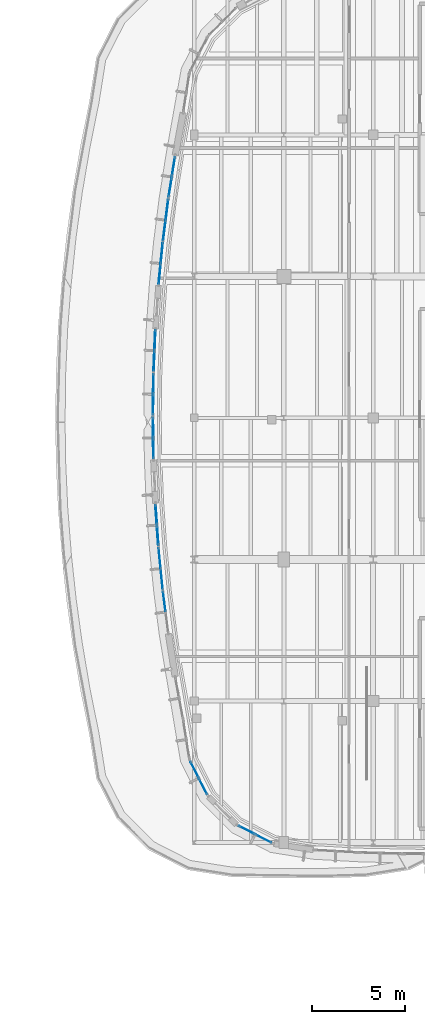
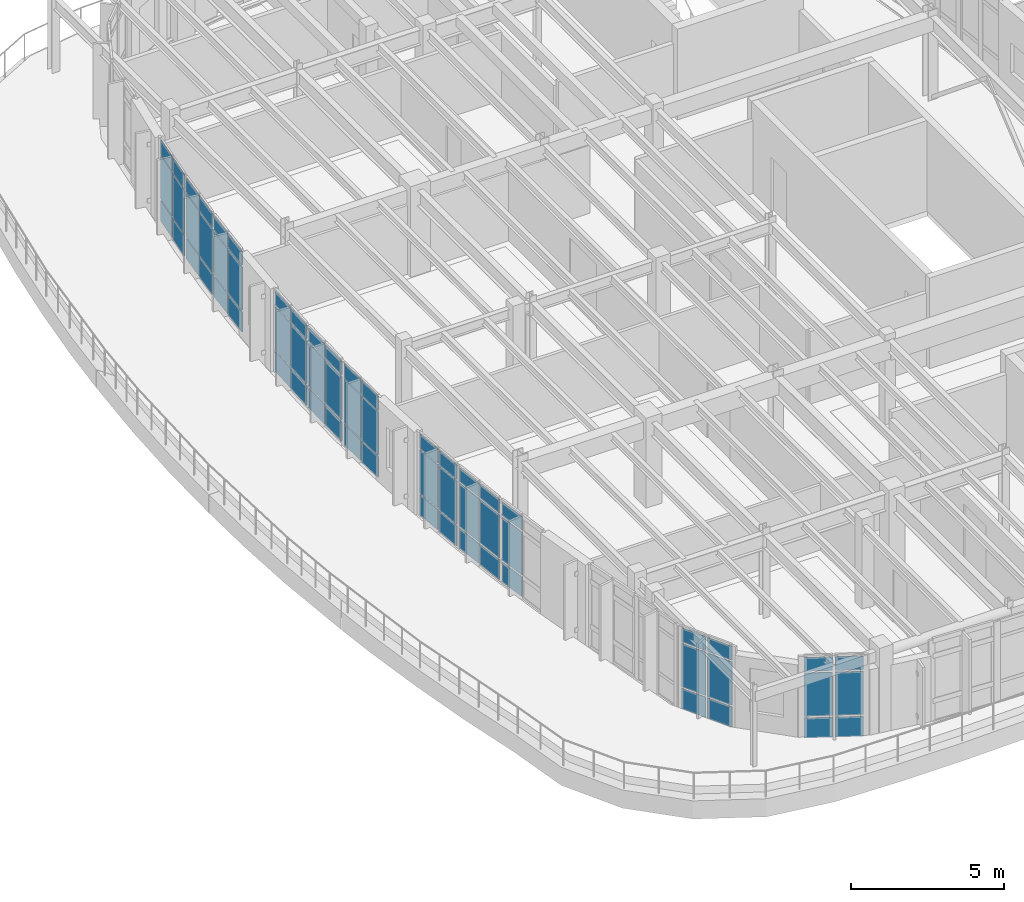
# One storey, part 18 of 30: 63 plates, 11 elements without a shape of their own.
"""IFC4 building model written with IfcOpenShell, lengths in metres."""

from ifc_helpers import new_model, si_unit, direction, frame, origin, origin_2d, place, context, subcontext, project, spatial, rectangle, extrude, material, layer, layer_set, type_object, element, aggregate, save


model = new_model("IFC4")

# Units and contexts
model_context = context("Model", 3, precision=1e-05, world=origin(), true_north=direction((0.0, 1.0)))
body_context = subcontext(model_context, "Body", "Model", "MODEL_VIEW")
ifc_project = project(units=[si_unit("LENGTHUNIT", "METRE"), si_unit("AREAUNIT", "SQUARE_METRE"), si_unit("VOLUMEUNIT", "CUBIC_METRE"), si_unit("PLANEANGLEUNIT", "RADIAN"), si_unit("MASSUNIT", "GRAM", prefix="KILO")], contexts=[model_context])

# Site, building, storey
site_placement = place(None, origin())
site = spatial("IfcSite", under=ifc_project, at=site_placement, CompositionType="ELEMENT")
building_placement = place(site_placement, origin())
building = spatial("IfcBuilding", under=site, at=building_placement, Name="Corveleigh Park Community Centre", CompositionType="ELEMENT")
storey_placement = place(building_placement, frame((0.0, 0.0, 12.60009765625)))
storey = spatial("IfcBuildingStorey", under=building, at=storey_placement, Name="L03", CompositionType="ELEMENT", Elevation=12.60009765625)

# Curtain wall, plates
ifc_material_1 = material(Name="Anodised aluminium 6063-T6", Category="aluminium")
curtain_wall_type = type_object("IfcCurtainWallType", Name="CW-SYS-V4-L03", PredefinedType="NOTDEFINED", material=ifc_material_1)
curtain_wall_1_placement = place(storey_placement, origin())
curtain_wall_1 = element("IfcCurtainWall", 1, at=curtain_wall_1_placement, inside=storey, type_object=curtain_wall_type, Name="V4 L03 Curtain Wall 433", PredefinedType="NOTDEFINED")
ifc_material_2 = material(Name="Low-E double glazing", Category="glass")
ifc_layer_1 = layer(ifc_material_2, 0.02392578125, Name="Low-E double glazing", Category="glass")
ifc_layer_set_1 = layer_set([ifc_layer_1], Name="Low-E double glazing")
plate_type_1 = type_object("IfcPlateType", Name="CWP-GLZ-24", PredefinedType="CURTAIN_PANEL", material=ifc_layer_set_1)
plate_1_placement = place(storey_placement, frame((142.44677734375, 72.74658203125, 0.06982421875), z_axis=(0.0, 0.0, 1.0), x_axis=(-0.09929092919, 0.995058446213, 0.0)))
plate_1 = element("IfcPlate", 2, at=plate_1_placement, type_object=plate_type_1, Name="CW09 panel 1.1", PredefinedType="CURTAIN_PANEL", context=body_context, shape_type="SweptSolid", body=[
    extrude(rectangle(XDim=1.0732421875, YDim=0.02392578125, at=origin_2d()), origin(), (0.0, 0.0, 1.0), 0.794921875),
])
plate_2_placement = place(storey_placement, frame((142.44677734375, 72.74658203125, 0.93505859375), z_axis=(0.0, 0.0, 1.0), x_axis=(-0.09929092919, 0.995058446213, 0.0)))
plate_2 = element("IfcPlate", 3, at=plate_2_placement, type_object=plate_type_1, Name="CW09 panel 1.2", PredefinedType="CURTAIN_PANEL", context=body_context, shape_type="SweptSolid", body=[
    extrude(rectangle(XDim=1.0732421875, YDim=0.02392578125, at=origin_2d()), origin(), (0.0, 0.0, 1.0), 1.717041015625),
])
plate_3_placement = place(storey_placement, frame((142.44677734375, 72.74658203125, 2.721923828125), z_axis=(0.0, 0.0, 1.0), x_axis=(-0.09929092919, 0.995058446213, 0.0)))
plate_3 = element("IfcPlate", 4, at=plate_3_placement, type_object=plate_type_1, Name="CW09 panel 1.3", PredefinedType="CURTAIN_PANEL", context=body_context, shape_type="SweptSolid", body=[
    extrude(rectangle(XDim=1.0732421875, YDim=0.02392578125, at=origin_2d()), origin(), (0.0, 0.0, 1.0), 0.544921875),
])
plate_4_placement = place(storey_placement, frame((142.334228515625, 73.874267578125, 0.06982421875), z_axis=(0.0, 0.0, 1.0), x_axis=(-0.09929092919, 0.995058446213, 0.0)))
plate_4 = element("IfcPlate", 5, at=plate_4_placement, type_object=plate_type_1, Name="CW09 panel 2.1", PredefinedType="CURTAIN_PANEL", context=body_context, shape_type="SweptSolid", body=[
    extrude(rectangle(XDim=1.0732421875, YDim=0.02392578125, at=origin_2d()), origin(), (0.0, 0.0, 1.0), 0.794921875),
])
plate_5_placement = place(storey_placement, frame((142.334228515625, 73.874267578125, 0.93505859375), z_axis=(0.0, 0.0, 1.0), x_axis=(-0.09929092919, 0.995058446213, 0.0)))
plate_5 = element("IfcPlate", 6, at=plate_5_placement, type_object=plate_type_1, Name="CW09 panel 2.2", PredefinedType="CURTAIN_PANEL", context=body_context, shape_type="SweptSolid", body=[
    extrude(rectangle(XDim=1.0732421875, YDim=0.02392578125, at=origin_2d()), origin(), (0.0, 0.0, 1.0), 1.717041015625),
])
plate_6_placement = place(storey_placement, frame((142.334228515625, 73.874267578125, 2.721923828125), z_axis=(0.0, 0.0, 1.0), x_axis=(-0.09929092919, 0.995058446213, 0.0)))
plate_6 = element("IfcPlate", 7, at=plate_6_placement, type_object=plate_type_1, Name="CW09 panel 2.3", PredefinedType="CURTAIN_PANEL", context=body_context, shape_type="SweptSolid", body=[
    extrude(rectangle(XDim=1.0732421875, YDim=0.02392578125, at=origin_2d()), origin(), (0.0, 0.0, 1.0), 0.544921875),
])
aggregate(curtain_wall_1, [plate_1, plate_2, plate_3, plate_4, plate_5, plate_6])

curtain_wall_2_placement = place(storey_placement, origin())
curtain_wall_2 = element("IfcCurtainWall", 8, at=curtain_wall_2_placement, inside=storey, type_object=curtain_wall_type, Name="V4 L03 Curtain Wall 434", PredefinedType="NOTDEFINED")
plate_7_placement = place(storey_placement, frame((142.583984375, 71.542236328125, 0.074951171875), z_axis=(0.0, 0.0, 1.0), x_axis=(-0.127261927639, 0.991869145489, 0.0)))
plate_7 = element("IfcPlate", 9, at=plate_7_placement, type_object=plate_type_1, Name="CW09 panel 2.1", PredefinedType="CURTAIN_PANEL", context=body_context, shape_type="SweptSolid", body=[
    extrude(rectangle(XDim=1.0654296875, YDim=0.02392578125, at=origin_2d()), origin(), (0.0, 0.0, 1.0), 0.78759765625),
])
plate_8_placement = place(storey_placement, frame((142.583984375, 71.542236328125, 0.9375), z_axis=(0.0, 0.0, 1.0), x_axis=(-0.127261927639, 0.991869145489, 0.0)))
plate_8 = element("IfcPlate", 10, at=plate_8_placement, type_object=plate_type_1, Name="CW09 panel 2.2", PredefinedType="CURTAIN_PANEL", context=body_context, shape_type="SweptSolid", body=[
    extrude(rectangle(XDim=1.0654296875, YDim=0.02392578125, at=origin_2d()), origin(), (0.0, 0.0, 1.0), 1.7119140625),
])
plate_9_placement = place(storey_placement, frame((142.583984375, 71.542236328125, 2.724365234375), z_axis=(0.0, 0.0, 1.0), x_axis=(-0.127261927639, 0.991869145489, 0.0)))
plate_9 = element("IfcPlate", 11, at=plate_9_placement, type_object=plate_type_1, Name="CW09 panel 2.3", PredefinedType="CURTAIN_PANEL", context=body_context, shape_type="SweptSolid", body=[
    extrude(rectangle(XDim=1.0654296875, YDim=0.02392578125, at=origin_2d()), origin(), (0.0, 0.0, 1.0), 0.53759765625),
])
aggregate(curtain_wall_2, [plate_7, plate_8, plate_9])

curtain_wall_3_placement = place(storey_placement, origin())
curtain_wall_3 = element("IfcCurtainWall", 12, at=curtain_wall_3_placement, inside=storey, type_object=curtain_wall_type, Name="V4 L03 Curtain Wall 426", PredefinedType="NOTDEFINED")
ifc_layer_2 = layer(ifc_material_2, 0.031982421875, Name="Low-E double glazing", Category="glass")
ifc_layer_set_2 = layer_set([ifc_layer_2], Name="Low-E double glazing")
plate_type_2 = type_object("IfcPlateType", Name="CWP-GLZ-32", PredefinedType="CURTAIN_PANEL", material=ifc_layer_set_2)
plate_10_placement = place(storey_placement, frame((142.900146484375, 93.78515625, 0.059814453125), z_axis=(0.0, 0.0, 1.0), x_axis=(0.156095062857, 0.987742036845, 0.0)))
plate_10 = element("IfcPlate", 13, at=plate_10_placement, type_object=plate_type_2, Name="CW09 panel 1.1", PredefinedType="CURTAIN_PANEL", context=body_context, shape_type="SweptSolid", body=[
    extrude(rectangle(XDim=1.03515625, YDim=0.031982421875, at=origin_2d()), origin(), (0.0, 0.0, 1.0), 0.81005859375),
])
plate_11_placement = place(storey_placement, frame((142.900146484375, 93.78515625, 0.929931640625), z_axis=(0.0, 0.0, 1.0), x_axis=(0.156095062857, 0.987742036845, 0.0)))
plate_11 = element("IfcPlate", 14, at=plate_11_placement, type_object=plate_type_2, Name="CW09 panel 1.2", PredefinedType="CURTAIN_PANEL", context=body_context, shape_type="SweptSolid", body=[
    extrude(rectangle(XDim=1.03515625, YDim=0.031982421875, at=origin_2d()), origin(), (0.0, 0.0, 1.0), 1.72705078125),
])
plate_12_placement = place(storey_placement, frame((142.900146484375, 93.78515625, 2.716796875), z_axis=(0.0, 0.0, 1.0), x_axis=(0.156095062857, 0.987742036845, 0.0)))
plate_12 = element("IfcPlate", 15, at=plate_12_placement, type_object=plate_type_2, Name="CW09 panel 1.3", PredefinedType="CURTAIN_PANEL", context=body_context, shape_type="SweptSolid", body=[
    extrude(rectangle(XDim=1.03515625, YDim=0.031982421875, at=origin_2d()), origin(), (0.0, 0.0, 1.0), 0.56005859375),
])
plate_13_placement = place(storey_placement, frame((143.074951171875, 94.891845703125, 0.059814453125), z_axis=(0.0, 0.0, 1.0), x_axis=(0.156095062857, 0.987742036845, 0.0)))
plate_13 = element("IfcPlate", 16, at=plate_13_placement, type_object=plate_type_2, Name="CW09 panel 2.1", PredefinedType="CURTAIN_PANEL", context=body_context, shape_type="SweptSolid", body=[
    extrude(rectangle(XDim=1.03515625, YDim=0.031982421875, at=origin_2d()), origin(), (0.0, 0.0, 1.0), 0.81005859375),
])
plate_14_placement = place(storey_placement, frame((143.074951171875, 94.891845703125, 0.929931640625), z_axis=(0.0, 0.0, 1.0), x_axis=(0.156095062857, 0.987742036845, 0.0)))
plate_14 = element("IfcPlate", 17, at=plate_14_placement, type_object=plate_type_2, Name="CW09 panel 2.2", PredefinedType="CURTAIN_PANEL", context=body_context, shape_type="SweptSolid", body=[
    extrude(rectangle(XDim=1.03515625, YDim=0.031982421875, at=origin_2d()), origin(), (0.0, 0.0, 1.0), 1.72705078125),
])
plate_15_placement = place(storey_placement, frame((143.074951171875, 94.891845703125, 2.716796875), z_axis=(0.0, 0.0, 1.0), x_axis=(0.156095062857, 0.987742036845, 0.0)))
plate_15 = element("IfcPlate", 18, at=plate_15_placement, type_object=plate_type_2, Name="CW09 panel 2.3", PredefinedType="CURTAIN_PANEL", context=body_context, shape_type="SweptSolid", body=[
    extrude(rectangle(XDim=1.03515625, YDim=0.031982421875, at=origin_2d()), origin(), (0.0, 0.0, 1.0), 0.56005859375),
])
aggregate(curtain_wall_3, [plate_10, plate_11, plate_12, plate_13, plate_14, plate_15])

curtain_wall_4_placement = place(storey_placement, origin())
curtain_wall_4 = element("IfcCurtainWall", 19, at=curtain_wall_4_placement, inside=storey, type_object=curtain_wall_type, Name="V4 L03 Curtain Wall 437", PredefinedType="NOTDEFINED")
plate_16_placement = place(storey_placement, frame((144.6708984375, 61.608642578125, 0.06494140625), z_axis=(0.0, 0.0, 1.0), x_axis=(-0.454202173945, 0.890898639119, 0.0)))
plate_16 = element("IfcPlate", 20, at=plate_16_placement, type_object=plate_type_2, Name="CW09 panel 1.1", PredefinedType="CURTAIN_PANEL", context=body_context, shape_type="SweptSolid", body=[
    extrude(rectangle(XDim=0.936767578125, YDim=0.031982421875, at=origin_2d()), origin(), (0.0, 0.0, 1.0), 0.802490234375),
])
plate_17_placement = place(storey_placement, frame((144.6708984375, 61.608642578125, 0.9326171875), z_axis=(0.0, 0.0, 1.0), x_axis=(-0.454202173945, 0.890898639119, 0.0)))
plate_17 = element("IfcPlate", 21, at=plate_17_placement, type_object=plate_type_2, Name="CW09 panel 1.2", PredefinedType="CURTAIN_PANEL", context=body_context, shape_type="SweptSolid", body=[
    extrude(rectangle(XDim=0.936767578125, YDim=0.031982421875, at=origin_2d()), origin(), (0.0, 0.0, 1.0), 1.721923828125),
])
plate_18_placement = place(storey_placement, frame((144.6708984375, 61.608642578125, 2.71923828125), z_axis=(0.0, 0.0, 1.0), x_axis=(-0.454202173945, 0.890898639119, 0.0)))
plate_18 = element("IfcPlate", 22, at=plate_18_placement, type_object=plate_type_2, Name="CW09 panel 1.3", PredefinedType="CURTAIN_PANEL", context=body_context, shape_type="SweptSolid", body=[
    extrude(rectangle(XDim=0.936767578125, YDim=0.031982421875, at=origin_2d()), origin(), (0.0, 0.0, 1.0), 0.552490234375),
])
plate_19_placement = place(storey_placement, frame((144.208984375, 62.514404296875, 0.06494140625), z_axis=(0.0, 0.0, 1.0), x_axis=(-0.454202173945, 0.890898639119, 0.0)))
plate_19 = element("IfcPlate", 23, at=plate_19_placement, type_object=plate_type_2, Name="CW09 panel 2.1", PredefinedType="CURTAIN_PANEL", context=body_context, shape_type="SweptSolid", body=[
    extrude(rectangle(XDim=0.936767578125, YDim=0.031982421875, at=origin_2d()), origin(), (0.0, 0.0, 1.0), 0.802490234375),
])
plate_20_placement = place(storey_placement, frame((144.208984375, 62.514404296875, 0.9326171875), z_axis=(0.0, 0.0, 1.0), x_axis=(-0.454202173945, 0.890898639119, 0.0)))
plate_20 = element("IfcPlate", 24, at=plate_20_placement, type_object=plate_type_2, Name="CW09 panel 2.2", PredefinedType="CURTAIN_PANEL", context=body_context, shape_type="SweptSolid", body=[
    extrude(rectangle(XDim=0.936767578125, YDim=0.031982421875, at=origin_2d()), origin(), (0.0, 0.0, 1.0), 1.721923828125),
])
plate_21_placement = place(storey_placement, frame((144.208984375, 62.514404296875, 2.71923828125), z_axis=(0.0, 0.0, 1.0), x_axis=(-0.454202173945, 0.890898639119, 0.0)))
plate_21 = element("IfcPlate", 25, at=plate_21_placement, type_object=plate_type_2, Name="CW09 panel 2.3", PredefinedType="CURTAIN_PANEL", context=body_context, shape_type="SweptSolid", body=[
    extrude(rectangle(XDim=0.936767578125, YDim=0.031982421875, at=origin_2d()), origin(), (0.0, 0.0, 1.0), 0.552490234375),
])
aggregate(curtain_wall_4, [plate_16, plate_17, plate_18, plate_19, plate_20, plate_21])

curtain_wall_5_placement = place(storey_placement, origin())
curtain_wall_5 = element("IfcCurtainWall", 26, at=curtain_wall_5_placement, inside=storey, type_object=curtain_wall_type, Name="V4 L03 Curtain Wall 438", PredefinedType="NOTDEFINED")
plate_22_placement = place(storey_placement, frame((147.913330078125, 58.8095703125, 0.06982421875), z_axis=(0.0, 0.0, 1.0), x_axis=(-0.890898639119, 0.454202173945, 0.0)))
plate_22 = element("IfcPlate", 27, at=plate_22_placement, type_object=plate_type_2, Name="CW09 panel 1.1", PredefinedType="CURTAIN_PANEL", context=body_context, shape_type="SweptSolid", body=[
    extrude(rectangle(XDim=0.92919921875, YDim=0.031982421875, at=origin_2d()), origin(), (0.0, 0.0, 1.0), 0.794921875),
])
plate_23_placement = place(storey_placement, frame((147.913330078125, 58.8095703125, 0.93505859375), z_axis=(0.0, 0.0, 1.0), x_axis=(-0.890898639119, 0.454202173945, 0.0)))
plate_23 = element("IfcPlate", 28, at=plate_23_placement, type_object=plate_type_2, Name="CW09 panel 1.2", PredefinedType="CURTAIN_PANEL", context=body_context, shape_type="SweptSolid", body=[
    extrude(rectangle(XDim=0.92919921875, YDim=0.031982421875, at=origin_2d()), origin(), (0.0, 0.0, 1.0), 1.717041015625),
])
plate_24_placement = place(storey_placement, frame((147.913330078125, 58.8095703125, 2.721923828125), z_axis=(0.0, 0.0, 1.0), x_axis=(-0.890898639119, 0.454202173945, 0.0)))
plate_24 = element("IfcPlate", 29, at=plate_24_placement, type_object=plate_type_2, Name="CW09 panel 1.3", PredefinedType="CURTAIN_PANEL", context=body_context, shape_type="SweptSolid", body=[
    extrude(rectangle(XDim=0.92919921875, YDim=0.031982421875, at=origin_2d()), origin(), (0.0, 0.0, 1.0), 0.544921875),
])
plate_25_placement = place(storey_placement, frame((147.009765625, 59.270263671875, 0.06982421875), z_axis=(0.0, 0.0, 1.0), x_axis=(-0.890898639119, 0.454202173945, 0.0)))
plate_25 = element("IfcPlate", 30, at=plate_25_placement, type_object=plate_type_2, Name="CW09 panel 2.1", PredefinedType="CURTAIN_PANEL", context=body_context, shape_type="SweptSolid", body=[
    extrude(rectangle(XDim=0.92919921875, YDim=0.031982421875, at=origin_2d()), origin(), (0.0, 0.0, 1.0), 0.794921875),
])
plate_26_placement = place(storey_placement, frame((147.009765625, 59.270263671875, 0.93505859375), z_axis=(0.0, 0.0, 1.0), x_axis=(-0.890898639119, 0.454202173945, 0.0)))
plate_26 = element("IfcPlate", 31, at=plate_26_placement, type_object=plate_type_2, Name="CW09 panel 2.2", PredefinedType="CURTAIN_PANEL", context=body_context, shape_type="SweptSolid", body=[
    extrude(rectangle(XDim=0.92919921875, YDim=0.031982421875, at=origin_2d()), origin(), (0.0, 0.0, 1.0), 1.717041015625),
])
plate_27_placement = place(storey_placement, frame((147.009765625, 59.270263671875, 2.721923828125), z_axis=(0.0, 0.0, 1.0), x_axis=(-0.890898639119, 0.454202173945, 0.0)))
plate_27 = element("IfcPlate", 32, at=plate_27_placement, type_object=plate_type_2, Name="CW09 panel 2.3", PredefinedType="CURTAIN_PANEL", context=body_context, shape_type="SweptSolid", body=[
    extrude(rectangle(XDim=0.92919921875, YDim=0.031982421875, at=origin_2d()), origin(), (0.0, 0.0, 1.0), 0.544921875),
])
aggregate(curtain_wall_5, [plate_22, plate_23, plate_24, plate_25, plate_26, plate_27])

curtain_wall_6_placement = place(storey_placement, origin())
curtain_wall_6 = element("IfcCurtainWall", 33, at=curtain_wall_6_placement, inside=storey, type_object=curtain_wall_type, Name="V4 L03 Curtain Wall 427", PredefinedType="NOTDEFINED")
ifc_layer_3 = layer(ifc_material_2, 0.035888671875, Name="Low-E double glazing", Category="glass")
ifc_layer_set_3 = layer_set([ifc_layer_3], Name="Low-E double glazing")
plate_type_3 = type_object("IfcPlateType", Name="CWP-GLZ-36", PredefinedType="CURTAIN_PANEL", material=ifc_layer_set_3)
plate_28_placement = place(storey_placement, frame((142.583984375, 91.45654296875, 0.06494140625), z_axis=(0.0, 0.0, 1.0), x_axis=(0.127261927639, 0.991869145489, 0.0)))
plate_28 = element("IfcPlate", 34, at=plate_28_placement, type_object=plate_type_3, Name="CW09 panel 1.1", PredefinedType="CURTAIN_PANEL", context=body_context, shape_type="SweptSolid", body=[
    extrude(rectangle(XDim=1.072998046875, YDim=0.035888671875, at=origin_2d()), origin(), (0.0, 0.0, 1.0), 0.802490234375),
])
plate_29_placement = place(storey_placement, frame((142.583984375, 91.45654296875, 0.9326171875), z_axis=(0.0, 0.0, 1.0), x_axis=(0.127261927639, 0.991869145489, 0.0)))
plate_29 = element("IfcPlate", 35, at=plate_29_placement, type_object=plate_type_3, Name="CW09 panel 1.2", PredefinedType="CURTAIN_PANEL", context=body_context, shape_type="SweptSolid", body=[
    extrude(rectangle(XDim=1.072998046875, YDim=0.035888671875, at=origin_2d()), origin(), (0.0, 0.0, 1.0), 1.721923828125),
])
plate_30_placement = place(storey_placement, frame((142.583984375, 91.45654296875, 2.71923828125), z_axis=(0.0, 0.0, 1.0), x_axis=(0.127261927639, 0.991869145489, 0.0)))
plate_30 = element("IfcPlate", 36, at=plate_30_placement, type_object=plate_type_3, Name="CW09 panel 1.3", PredefinedType="CURTAIN_PANEL", context=body_context, shape_type="SweptSolid", body=[
    extrude(rectangle(XDim=1.072998046875, YDim=0.035888671875, at=origin_2d()), origin(), (0.0, 0.0, 1.0), 0.552490234375),
])
plate_31_placement = place(storey_placement, frame((142.72802734375, 92.580322265625, 0.06494140625), z_axis=(0.0, 0.0, 1.0), x_axis=(0.127261927639, 0.991869145489, 0.0)))
plate_31 = element("IfcPlate", 37, at=plate_31_placement, type_object=plate_type_3, Name="CW09 panel 2.1", PredefinedType="CURTAIN_PANEL", context=body_context, shape_type="SweptSolid", body=[
    extrude(rectangle(XDim=1.072998046875, YDim=0.035888671875, at=origin_2d()), origin(), (0.0, 0.0, 1.0), 0.802490234375),
])
plate_32_placement = place(storey_placement, frame((142.72802734375, 92.580322265625, 0.9326171875), z_axis=(0.0, 0.0, 1.0), x_axis=(0.127261927639, 0.991869145489, 0.0)))
plate_32 = element("IfcPlate", 38, at=plate_32_placement, type_object=plate_type_3, Name="CW09 panel 2.2", PredefinedType="CURTAIN_PANEL", context=body_context, shape_type="SweptSolid", body=[
    extrude(rectangle(XDim=1.072998046875, YDim=0.035888671875, at=origin_2d()), origin(), (0.0, 0.0, 1.0), 1.721923828125),
])
plate_33_placement = place(storey_placement, frame((142.72802734375, 92.580322265625, 2.71923828125), z_axis=(0.0, 0.0, 1.0), x_axis=(0.127261927639, 0.991869145489, 0.0)))
plate_33 = element("IfcPlate", 39, at=plate_33_placement, type_object=plate_type_3, Name="CW09 panel 2.3", PredefinedType="CURTAIN_PANEL", context=body_context, shape_type="SweptSolid", body=[
    extrude(rectangle(XDim=1.072998046875, YDim=0.035888671875, at=origin_2d()), origin(), (0.0, 0.0, 1.0), 0.552490234375),
])
aggregate(curtain_wall_6, [plate_28, plate_29, plate_30, plate_31, plate_32, plate_33])

curtain_wall_7_placement = place(storey_placement, origin())
curtain_wall_7 = element("IfcCurtainWall", 40, at=curtain_wall_7_placement, inside=storey, type_object=curtain_wall_type, Name="V4 L03 Curtain Wall 428", PredefinedType="NOTDEFINED")
plate_34_placement = place(storey_placement, frame((142.33447265625, 89.126953125, 0.06982421875), z_axis=(0.0, 0.0, 1.0), x_axis=(0.09929092919, 0.995058446213, 0.0)))
plate_34 = element("IfcPlate", 41, at=plate_34_placement, type_object=plate_type_3, Name="CW09 panel 1.1", PredefinedType="CURTAIN_PANEL", context=body_context, shape_type="SweptSolid", body=[
    extrude(rectangle(XDim=1.065673828125, YDim=0.035888671875, at=origin_2d()), origin(), (0.0, 0.0, 1.0), 0.794921875),
])
plate_35_placement = place(storey_placement, frame((142.33447265625, 89.126953125, 0.93505859375), z_axis=(0.0, 0.0, 1.0), x_axis=(0.09929092919, 0.995058446213, 0.0)))
plate_35 = element("IfcPlate", 42, at=plate_35_placement, type_object=plate_type_3, Name="CW09 panel 1.2", PredefinedType="CURTAIN_PANEL", context=body_context, shape_type="SweptSolid", body=[
    extrude(rectangle(XDim=1.065673828125, YDim=0.035888671875, at=origin_2d()), origin(), (0.0, 0.0, 1.0), 1.717041015625),
])
plate_36_placement = place(storey_placement, frame((142.33447265625, 89.126953125, 2.721923828125), z_axis=(0.0, 0.0, 1.0), x_axis=(0.09929092919, 0.995058446213, 0.0)))
plate_36 = element("IfcPlate", 43, at=plate_36_placement, type_object=plate_type_3, Name="CW09 panel 1.3", PredefinedType="CURTAIN_PANEL", context=body_context, shape_type="SweptSolid", body=[
    extrude(rectangle(XDim=1.065673828125, YDim=0.035888671875, at=origin_2d()), origin(), (0.0, 0.0, 1.0), 0.544921875),
])
plate_37_placement = place(storey_placement, frame((142.446533203125, 90.252197265625, 0.06982421875), z_axis=(0.0, 0.0, 1.0), x_axis=(0.09929092919, 0.995058446213, 0.0)))
plate_37 = element("IfcPlate", 44, at=plate_37_placement, type_object=plate_type_3, Name="CW09 panel 2.1", PredefinedType="CURTAIN_PANEL", context=body_context, shape_type="SweptSolid", body=[
    extrude(rectangle(XDim=1.065673828125, YDim=0.035888671875, at=origin_2d()), origin(), (0.0, 0.0, 1.0), 0.794921875),
])
plate_38_placement = place(storey_placement, frame((142.446533203125, 90.252197265625, 0.93505859375), z_axis=(0.0, 0.0, 1.0), x_axis=(0.09929092919, 0.995058446213, 0.0)))
plate_38 = element("IfcPlate", 45, at=plate_38_placement, type_object=plate_type_3, Name="CW09 panel 2.2", PredefinedType="CURTAIN_PANEL", context=body_context, shape_type="SweptSolid", body=[
    extrude(rectangle(XDim=1.065673828125, YDim=0.035888671875, at=origin_2d()), origin(), (0.0, 0.0, 1.0), 1.717041015625),
])
plate_39_placement = place(storey_placement, frame((142.446533203125, 90.252197265625, 2.721923828125), z_axis=(0.0, 0.0, 1.0), x_axis=(0.09929092919, 0.995058446213, 0.0)))
plate_39 = element("IfcPlate", 46, at=plate_39_placement, type_object=plate_type_3, Name="CW09 panel 2.3", PredefinedType="CURTAIN_PANEL", context=body_context, shape_type="SweptSolid", body=[
    extrude(rectangle(XDim=1.065673828125, YDim=0.035888671875, at=origin_2d()), origin(), (0.0, 0.0, 1.0), 0.544921875),
])
aggregate(curtain_wall_7, [plate_34, plate_35, plate_36, plate_37, plate_38, plate_39])

curtain_wall_8_placement = place(storey_placement, origin())
curtain_wall_8 = element("IfcCurtainWall", 47, at=curtain_wall_8_placement, inside=storey, type_object=curtain_wall_type, Name="V4 L03 Curtain Wall 429", PredefinedType="NOTDEFINED")
ifc_layer_4 = layer(ifc_material_2, 0.0400390625, Name="Low-E double glazing", Category="glass")
ifc_layer_set_4 = layer_set([ifc_layer_4], Name="Low-E double glazing")
plate_type_4 = type_object("IfcPlateType", Name="CWP-GLZ-40", PredefinedType="CURTAIN_PANEL", material=ifc_layer_set_4)
plate_40_placement = place(storey_placement, frame((142.03369140625, 84.451171875, 0.074951171875), z_axis=(0.0, 0.0, 1.0), x_axis=(0.043007952221, 0.999074729961, 0.0)))
plate_40 = element("IfcPlate", 48, at=plate_40_placement, type_object=plate_type_4, Name="CW09 panel 1.1", PredefinedType="CURTAIN_PANEL", context=body_context, shape_type="SweptSolid", body=[
    extrude(rectangle(XDim=1.0576171875, YDim=0.0400390625, at=origin_2d()), origin(), (0.0, 0.0, 1.0), 0.78759765625),
])
plate_41_placement = place(storey_placement, frame((142.03369140625, 84.451171875, 0.9375), z_axis=(0.0, 0.0, 1.0), x_axis=(0.043007952221, 0.999074729961, 0.0)))
plate_41 = element("IfcPlate", 49, at=plate_41_placement, type_object=plate_type_4, Name="CW09 panel 1.2", PredefinedType="CURTAIN_PANEL", context=body_context, shape_type="SweptSolid", body=[
    extrude(rectangle(XDim=1.0576171875, YDim=0.0400390625, at=origin_2d()), origin(), (0.0, 0.0, 1.0), 1.7119140625),
])
plate_42_placement = place(storey_placement, frame((142.03369140625, 84.451171875, 2.724365234375), z_axis=(0.0, 0.0, 1.0), x_axis=(0.043007952221, 0.999074729961, 0.0)))
plate_42 = element("IfcPlate", 50, at=plate_42_placement, type_object=plate_type_4, Name="CW09 panel 1.3", PredefinedType="CURTAIN_PANEL", context=body_context, shape_type="SweptSolid", body=[
    extrude(rectangle(XDim=1.0576171875, YDim=0.0400390625, at=origin_2d()), origin(), (0.0, 0.0, 1.0), 0.53759765625),
])
plate_43_placement = place(storey_placement, frame((142.082275390625, 85.577880859375, 0.074951171875), z_axis=(0.0, 0.0, 1.0), x_axis=(0.043007952221, 0.999074729961, 0.0)))
plate_43 = element("IfcPlate", 51, at=plate_43_placement, type_object=plate_type_4, Name="CW09 panel 2.1", PredefinedType="CURTAIN_PANEL", context=body_context, shape_type="SweptSolid", body=[
    extrude(rectangle(XDim=1.0576171875, YDim=0.0400390625, at=origin_2d()), origin(), (0.0, 0.0, 1.0), 0.78759765625),
])
plate_44_placement = place(storey_placement, frame((142.082275390625, 85.577880859375, 0.9375), z_axis=(0.0, 0.0, 1.0), x_axis=(0.043007952221, 0.999074729961, 0.0)))
plate_44 = element("IfcPlate", 52, at=plate_44_placement, type_object=plate_type_4, Name="CW09 panel 2.2", PredefinedType="CURTAIN_PANEL", context=body_context, shape_type="SweptSolid", body=[
    extrude(rectangle(XDim=1.0576171875, YDim=0.0400390625, at=origin_2d()), origin(), (0.0, 0.0, 1.0), 1.7119140625),
])
plate_45_placement = place(storey_placement, frame((142.082275390625, 85.577880859375, 2.724365234375), z_axis=(0.0, 0.0, 1.0), x_axis=(0.043007952221, 0.999074729961, 0.0)))
plate_45 = element("IfcPlate", 53, at=plate_45_placement, type_object=plate_type_4, Name="CW09 panel 2.3", PredefinedType="CURTAIN_PANEL", context=body_context, shape_type="SweptSolid", body=[
    extrude(rectangle(XDim=1.0576171875, YDim=0.0400390625, at=origin_2d()), origin(), (0.0, 0.0, 1.0), 0.53759765625),
])
aggregate(curtain_wall_8, [plate_40, plate_41, plate_42, plate_43, plate_44, plate_45])

curtain_wall_9_placement = place(storey_placement, origin())
curtain_wall_9 = element("IfcCurtainWall", 54, at=curtain_wall_9_placement, inside=storey, type_object=curtain_wall_type, Name="V4 L03 Curtain Wall 430", PredefinedType="NOTDEFINED")
plate_46_placement = place(storey_placement, frame((141.9833984375, 82.109130859375, 0.080078125), z_axis=(0.0, 0.0, 1.0), x_axis=(0.014186018617, 0.999899373375, 0.0)))
plate_46 = element("IfcPlate", 55, at=plate_46_placement, type_object=plate_type_4, Name="CW09 panel 1.1", PredefinedType="CURTAIN_PANEL", context=body_context, shape_type="SweptSolid", body=[
    extrude(rectangle(XDim=1.050537109375, YDim=0.0400390625, at=origin_2d()), origin(), (0.0, 0.0, 1.0), 0.780029296875),
])
plate_47_placement = place(storey_placement, frame((141.9833984375, 82.109130859375, 0.93994140625), z_axis=(0.0, 0.0, 1.0), x_axis=(0.014186018617, 0.999899373375, 0.0)))
plate_47 = element("IfcPlate", 56, at=plate_47_placement, type_object=plate_type_4, Name="CW09 panel 1.2", PredefinedType="CURTAIN_PANEL", context=body_context, shape_type="SweptSolid", body=[
    extrude(rectangle(XDim=1.050537109375, YDim=0.0400390625, at=origin_2d()), origin(), (0.0, 0.0, 1.0), 1.70703125),
])
plate_48_placement = place(storey_placement, frame((141.9833984375, 82.109130859375, 2.72705078125), z_axis=(0.0, 0.0, 1.0), x_axis=(0.014186018617, 0.999899373375, 0.0)))
plate_48 = element("IfcPlate", 57, at=plate_48_placement, type_object=plate_type_4, Name="CW09 panel 1.3", PredefinedType="CURTAIN_PANEL", context=body_context, shape_type="SweptSolid", body=[
    extrude(rectangle(XDim=1.050537109375, YDim=0.0400390625, at=origin_2d()), origin(), (0.0, 0.0, 1.0), 0.530029296875),
])
plate_49_placement = place(storey_placement, frame((141.99951171875, 83.23486328125, 0.080078125), z_axis=(0.0, 0.0, 1.0), x_axis=(0.014186018617, 0.999899373375, 0.0)))
plate_49 = element("IfcPlate", 58, at=plate_49_placement, type_object=plate_type_4, Name="CW09 panel 2.1", PredefinedType="CURTAIN_PANEL", context=body_context, shape_type="SweptSolid", body=[
    extrude(rectangle(XDim=1.050537109375, YDim=0.0400390625, at=origin_2d()), origin(), (0.0, 0.0, 1.0), 0.780029296875),
])
plate_50_placement = place(storey_placement, frame((141.99951171875, 83.23486328125, 0.93994140625), z_axis=(0.0, 0.0, 1.0), x_axis=(0.014186018617, 0.999899373375, 0.0)))
plate_50 = element("IfcPlate", 59, at=plate_50_placement, type_object=plate_type_4, Name="CW09 panel 2.2", PredefinedType="CURTAIN_PANEL", context=body_context, shape_type="SweptSolid", body=[
    extrude(rectangle(XDim=1.050537109375, YDim=0.0400390625, at=origin_2d()), origin(), (0.0, 0.0, 1.0), 1.70703125),
])
plate_51_placement = place(storey_placement, frame((141.99951171875, 83.23486328125, 2.72705078125), z_axis=(0.0, 0.0, 1.0), x_axis=(0.014186018617, 0.999899373375, 0.0)))
plate_51 = element("IfcPlate", 60, at=plate_51_placement, type_object=plate_type_4, Name="CW09 panel 2.3", PredefinedType="CURTAIN_PANEL", context=body_context, shape_type="SweptSolid", body=[
    extrude(rectangle(XDim=1.050537109375, YDim=0.0400390625, at=origin_2d()), origin(), (0.0, 0.0, 1.0), 0.530029296875),
])
aggregate(curtain_wall_9, [plate_46, plate_47, plate_48, plate_49, plate_50, plate_51])

curtain_wall_10_placement = place(storey_placement, origin())
curtain_wall_10 = element("IfcCurtainWall", 61, at=curtain_wall_10_placement, inside=storey, type_object=curtain_wall_type, Name="V4 L03 Curtain Wall 431", PredefinedType="NOTDEFINED")
ifc_layer_5 = layer(ifc_material_2, 0.0439453125, Name="Low-E double glazing", Category="glass")
ifc_layer_set_5 = layer_set([ifc_layer_5], Name="Low-E double glazing")
plate_type_5 = type_object("IfcPlateType", Name="CWP-GLZ-44", PredefinedType="CURTAIN_PANEL", material=ifc_layer_set_5)
plate_52_placement = place(storey_placement, frame((141.99951171875, 79.7666015625, 0.059814453125), z_axis=(0.0, 0.0, 1.0), x_axis=(-0.014186018617, 0.999899373375, 0.0)))
plate_52 = element("IfcPlate", 62, at=plate_52_placement, type_object=plate_type_5, Name="CW09 panel 1.1", PredefinedType="CURTAIN_PANEL", context=body_context, shape_type="SweptSolid", body=[
    extrude(rectangle(XDim=1.043212890625, YDim=0.0439453125, at=origin_2d()), origin(), (0.0, 0.0, 1.0), 0.81005859375),
])
plate_53_placement = place(storey_placement, frame((141.99951171875, 79.7666015625, 0.929931640625), z_axis=(0.0, 0.0, 1.0), x_axis=(-0.014186018617, 0.999899373375, 0.0)))
plate_53 = element("IfcPlate", 63, at=plate_53_placement, type_object=plate_type_5, Name="CW09 panel 1.2", PredefinedType="CURTAIN_PANEL", context=body_context, shape_type="SweptSolid", body=[
    extrude(rectangle(XDim=1.043212890625, YDim=0.0439453125, at=origin_2d()), origin(), (0.0, 0.0, 1.0), 1.72705078125),
])
plate_54_placement = place(storey_placement, frame((141.99951171875, 79.7666015625, 2.716796875), z_axis=(0.0, 0.0, 1.0), x_axis=(-0.014186018617, 0.999899373375, 0.0)))
plate_54 = element("IfcPlate", 64, at=plate_54_placement, type_object=plate_type_5, Name="CW09 panel 1.3", PredefinedType="CURTAIN_PANEL", context=body_context, shape_type="SweptSolid", body=[
    extrude(rectangle(XDim=1.043212890625, YDim=0.0439453125, at=origin_2d()), origin(), (0.0, 0.0, 1.0), 0.56005859375),
])
plate_55_placement = place(storey_placement, frame((141.983642578125, 80.889404296875, 0.059814453125), z_axis=(0.0, 0.0, 1.0), x_axis=(-0.014186018617, 0.999899373375, 0.0)))
plate_55 = element("IfcPlate", 65, at=plate_55_placement, type_object=plate_type_5, Name="CW09 panel 2.1", PredefinedType="CURTAIN_PANEL", context=body_context, shape_type="SweptSolid", body=[
    extrude(rectangle(XDim=1.043212890625, YDim=0.0439453125, at=origin_2d()), origin(), (0.0, 0.0, 1.0), 0.81005859375),
])
plate_56_placement = place(storey_placement, frame((141.983642578125, 80.889404296875, 0.929931640625), z_axis=(0.0, 0.0, 1.0), x_axis=(-0.014186018617, 0.999899373375, 0.0)))
plate_56 = element("IfcPlate", 66, at=plate_56_placement, type_object=plate_type_5, Name="CW09 panel 2.2", PredefinedType="CURTAIN_PANEL", context=body_context, shape_type="SweptSolid", body=[
    extrude(rectangle(XDim=1.043212890625, YDim=0.0439453125, at=origin_2d()), origin(), (0.0, 0.0, 1.0), 1.72705078125),
])
plate_57_placement = place(storey_placement, frame((141.983642578125, 80.889404296875, 2.716796875), z_axis=(0.0, 0.0, 1.0), x_axis=(-0.014186018617, 0.999899373375, 0.0)))
plate_57 = element("IfcPlate", 67, at=plate_57_placement, type_object=plate_type_5, Name="CW09 panel 2.3", PredefinedType="CURTAIN_PANEL", context=body_context, shape_type="SweptSolid", body=[
    extrude(rectangle(XDim=1.043212890625, YDim=0.0439453125, at=origin_2d()), origin(), (0.0, 0.0, 1.0), 0.56005859375),
])
aggregate(curtain_wall_10, [plate_52, plate_53, plate_54, plate_55, plate_56, plate_57])

curtain_wall_11_placement = place(storey_placement, origin())
curtain_wall_11 = element("IfcCurtainWall", 68, at=curtain_wall_11_placement, inside=storey, type_object=curtain_wall_type, Name="V4 L03 Curtain Wall 432", PredefinedType="NOTDEFINED")
plate_58_placement = place(storey_placement, frame((142.23046875, 75.087158203125, 0.06494140625), z_axis=(0.0, 0.0, 1.0), x_axis=(-0.070513695282, 0.997510811359, 0.0)))
plate_58 = element("IfcPlate", 69, at=plate_58_placement, type_object=plate_type_5, Name="CW09 panel 1.1", PredefinedType="CURTAIN_PANEL", context=body_context, shape_type="SweptSolid", body=[
    extrude(rectangle(XDim=1.035400390625, YDim=0.0439453125, at=origin_2d()), origin(), (0.0, 0.0, 1.0), 0.802490234375),
])
plate_59_placement = place(storey_placement, frame((142.23046875, 75.087158203125, 0.9326171875), z_axis=(0.0, 0.0, 1.0), x_axis=(-0.070513695282, 0.997510811359, 0.0)))
plate_59 = element("IfcPlate", 70, at=plate_59_placement, type_object=plate_type_5, Name="CW09 panel 1.2", PredefinedType="CURTAIN_PANEL", context=body_context, shape_type="SweptSolid", body=[
    extrude(rectangle(XDim=1.035400390625, YDim=0.0439453125, at=origin_2d()), origin(), (0.0, 0.0, 1.0), 1.721923828125),
])
plate_60_placement = place(storey_placement, frame((142.23046875, 75.087158203125, 2.71923828125), z_axis=(0.0, 0.0, 1.0), x_axis=(-0.070513695282, 0.997510811359, 0.0)))
plate_60 = element("IfcPlate", 71, at=plate_60_placement, type_object=plate_type_5, Name="CW09 panel 1.3", PredefinedType="CURTAIN_PANEL", context=body_context, shape_type="SweptSolid", body=[
    extrude(rectangle(XDim=1.035400390625, YDim=0.0439453125, at=origin_2d()), origin(), (0.0, 0.0, 1.0), 0.552490234375),
])
plate_61_placement = place(storey_placement, frame((142.151611328125, 76.204833984375, 0.06494140625), z_axis=(0.0, 0.0, 1.0), x_axis=(-0.070513695282, 0.997510811359, 0.0)))
plate_61 = element("IfcPlate", 72, at=plate_61_placement, type_object=plate_type_5, Name="CW09 panel 2.1", PredefinedType="CURTAIN_PANEL", context=body_context, shape_type="SweptSolid", body=[
    extrude(rectangle(XDim=1.035400390625, YDim=0.0439453125, at=origin_2d()), origin(), (0.0, 0.0, 1.0), 0.802490234375),
])
plate_62_placement = place(storey_placement, frame((142.151611328125, 76.204833984375, 0.9326171875), z_axis=(0.0, 0.0, 1.0), x_axis=(-0.070513695282, 0.997510811359, 0.0)))
plate_62 = element("IfcPlate", 73, at=plate_62_placement, type_object=plate_type_5, Name="CW09 panel 2.2", PredefinedType="CURTAIN_PANEL", context=body_context, shape_type="SweptSolid", body=[
    extrude(rectangle(XDim=1.035400390625, YDim=0.0439453125, at=origin_2d()), origin(), (0.0, 0.0, 1.0), 1.721923828125),
])
plate_63_placement = place(storey_placement, frame((142.151611328125, 76.204833984375, 2.71923828125), z_axis=(0.0, 0.0, 1.0), x_axis=(-0.070513695282, 0.997510811359, 0.0)))
plate_63 = element("IfcPlate", 74, at=plate_63_placement, type_object=plate_type_5, Name="CW09 panel 2.3", PredefinedType="CURTAIN_PANEL", context=body_context, shape_type="SweptSolid", body=[
    extrude(rectangle(XDim=1.035400390625, YDim=0.0439453125, at=origin_2d()), origin(), (0.0, 0.0, 1.0), 0.552490234375),
])
aggregate(curtain_wall_11, [plate_58, plate_59, plate_60, plate_61, plate_62, plate_63])

save(model, "model.ifc")
